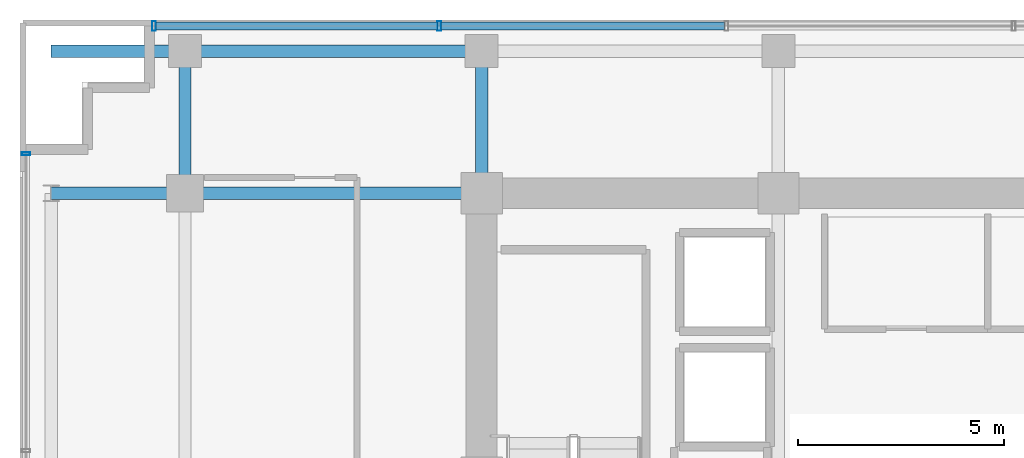
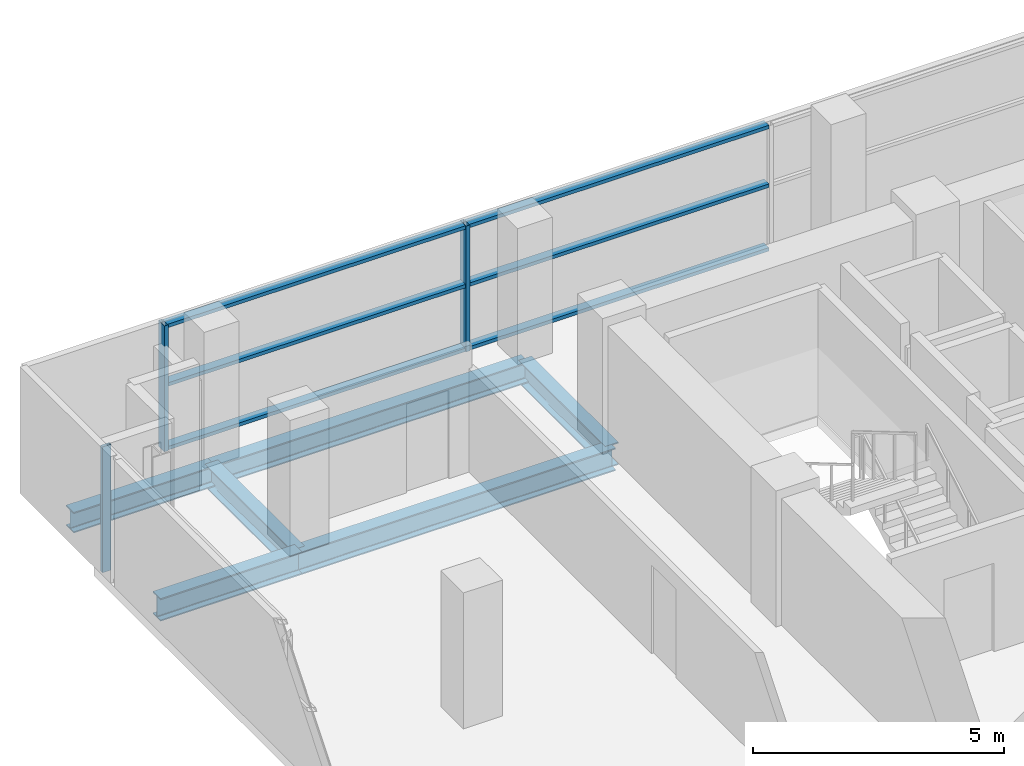
# One storey, part 12 of 24: 9 members, 6 beams, 2 elements without a shape of their own.
"""IFC4 building model written with IfcOpenShell, lengths in metres."""

from ifc_helpers import new_model, si_unit, direction, frame, origin, origin_2d, place, context, subcontext, project, spatial, hollow_rectangle, i_section, extrude, source, transform, mapped, material, layer, layer_set, material_profile, profile_set, type_object, element, aggregate, save


model = new_model("IFC4")

# Units and contexts
model_context = context("Model", 3, precision=1e-05, world=origin(), true_north=direction((0.0, 1.0)))
body_context = subcontext(model_context, "Body", "Model", "MODEL_VIEW")
ifc_project = project(units=[si_unit("LENGTHUNIT", "METRE"), si_unit("AREAUNIT", "SQUARE_METRE"), si_unit("VOLUMEUNIT", "CUBIC_METRE"), si_unit("PLANEANGLEUNIT", "RADIAN"), si_unit("MASSUNIT", "GRAM", prefix="KILO")], contexts=[model_context])

# Site, building, storey
site_placement = place(None, origin())
site = spatial("IfcSite", under=ifc_project, at=site_placement, CompositionType="ELEMENT")
building_placement = place(site_placement, origin())
building = spatial("IfcBuilding", under=site, at=building_placement, Name="Zarnakvel Exchange Tower", CompositionType="ELEMENT")
storey_placement = place(building_placement, frame((0.0, 0.0, 133.0)))
storey = spatial("IfcBuildingStorey", under=building, at=storey_placement, Name="L37", CompositionType="ELEMENT", Elevation=133.0)

# Beams
ifc_material_1 = material(Name="Steel S355", Category="steel")
ifc_material_profile_1 = material_profile(ifc_material_1, i_section(OverallWidth=0.300048828125, OverallDepth=0.550048828125, WebThickness=0.014892578125, FlangeThickness=0.029052734375, FilletRadius=0.027099609375, at=origin_2d()))
ifc_profile_set_1 = profile_set([ifc_material_profile_1], Name="Steel S355")
beam_type_1 = type_object("IfcBeamType", Name="G-05", PredefinedType="BEAM", material=ifc_profile_set_1)
beam_1_placement = place(storey_placement, frame((-24.85009765625, 13.5, -0.5), z_axis=(1.0, 0.0, 0.0), x_axis=(0.0, 1.0, 0.0)))
element("IfcBeam", 1, at=beam_1_placement, inside=storey, type_object=beam_type_1, Name="L37 Tower E-W Frame Beam", PredefinedType="BEAM", context=body_context, shape_type="SweptSolid", body=[
    extrude(i_section(OverallWidth=0.300048828125, OverallDepth=0.550048828125, WebThickness=0.014892578125, FlangeThickness=0.029052734375, FilletRadius=0.027099609375, at=origin_2d()), origin(), (0.0, 0.0, 1.0), 3.25),
])
beam_2_placement = place(storey_placement, frame((-21.60009765625, 13.5, -0.5), z_axis=(1.0, 0.0, 0.0), x_axis=(0.0, 1.0, 0.0)))
element("IfcBeam", 2, at=beam_2_placement, inside=storey, type_object=beam_type_1, Name="L37 Tower E-W Frame Beam", PredefinedType="BEAM", context=body_context, shape_type="SweptSolid", body=[
    extrude(i_section(OverallWidth=0.300048828125, OverallDepth=0.550048828125, WebThickness=0.014892578125, FlangeThickness=0.029052734375, FilletRadius=0.027099609375, at=origin_2d()), origin(), (0.0, 0.0, 1.0), 7.2001953125),
])
for number, where, z_axis, x_axis, name in (
    (3, (-21.60009765625, 13.5, -0.5), (0.0, 1.0, 0.0), (-1.0, 0.0, 0.0), "L37 Tower N-S Frame Beam"),
    (4, (-14.39990234375, 13.5, -0.5), (0.0, 1.0, 0.0), (-1.0, 0.0, 0.0), "L37 Tower N-S Frame Beam"),
):
    element("IfcBeam", number, at=place(storey_placement, frame(where, z_axis=z_axis, x_axis=x_axis)), inside=storey, type_object=beam_type_1, Name=name, PredefinedType="BEAM", context=body_context, shape_type="SweptSolid", body=[
        extrude(i_section(OverallWidth=0.300048828125, OverallDepth=0.550048828125, WebThickness=0.014892578125, FlangeThickness=0.029052734375, FilletRadius=0.027099609375, at=origin_2d()), origin(), (0.0, 0.0, 1.0), 3.449951171875),
    ])
ifc_material_profile_2 = material_profile(ifc_material_1, i_section(OverallWidth=0.300048828125, OverallDepth=0.5, WebThickness=0.014404296875, FlangeThickness=0.028076171875, FilletRadius=0.027099609375, at=origin_2d()))
ifc_profile_set_2 = profile_set([ifc_material_profile_2], Name="Steel S355")
beam_type_2 = type_object("IfcBeamType", Name="SP-02", PredefinedType="SPANDREL", material=ifc_profile_set_2)
beam_3_placement = place(storey_placement, frame((-21.60009765625, 16.949951171875, -0.47509765625), z_axis=(1.0, 0.0, 0.0), x_axis=(0.0, 1.0, 0.0)))
element("IfcBeam", 5, at=beam_3_placement, inside=storey, type_object=beam_type_2, Name="L37 Tower E-W Frame Beam", PredefinedType="SPANDREL", context=body_context, shape_type="SweptSolid", body=[
    extrude(i_section(OverallWidth=0.300048828125, OverallDepth=0.5, WebThickness=0.014404296875, FlangeThickness=0.028076171875, FilletRadius=0.027099609375, at=origin_2d()), origin(), (0.0, 0.0, 1.0), 7.2001953125),
])
beam_4_placement = place(storey_placement, frame((-24.85009765625, 16.949951171875, -0.47509765625), z_axis=(1.0, 0.0, 0.0), x_axis=(0.0, 1.0, 0.0)))
element("IfcBeam", 6, at=beam_4_placement, inside=storey, type_object=beam_type_2, Name="L37 North-West Corner Spandrel", PredefinedType="SPANDREL", context=body_context, shape_type="SweptSolid", body=[
    extrude(i_section(OverallWidth=0.300048828125, OverallDepth=0.5, WebThickness=0.014404296875, FlangeThickness=0.028076171875, FilletRadius=0.027099609375, at=origin_2d()), origin(), (0.0, 0.0, 1.0), 3.25),
])

# Curtain wall, members
ifc_material_2 = material(Name="Architectural Bronze Anodised Aluminium", Category="aluminium")
ifc_layer_1 = layer(ifc_material_2, 0.239990234375)
ifc_layer_set_1 = layer_set([ifc_layer_1], Name="Architectural Bronze Anodised Aluminium")
curtain_wall_type_1 = type_object("IfcCurtainWallType", Name="CW-02", PredefinedType="NOTDEFINED", material=ifc_layer_set_1)
curtain_wall_1_placement = place(storey_placement, origin())
curtain_wall_1 = element("IfcCurtainWall", 7, at=curtain_wall_1_placement, inside=storey, type_object=curtain_wall_type_1, Name="L37 Curtain Wall CW-L37-N1 (CW-02)", PredefinedType="NOTDEFINED")
ifc_material_profile_3 = material_profile(ifc_material_2, hollow_rectangle(XDim=0.239990234375, YDim=0.090087890625, WallThickness=0.006103515625, at=origin_2d()))
ifc_profile_set_3 = profile_set([ifc_material_profile_3], Name="Architectural Bronze Anodised Aluminium")
member_type_1 = type_object("IfcMemberType", Name="CWM-02", PredefinedType="MULLION", material=ifc_profile_set_3)
shared_shape_1 = source(origin(), body_context, "Body", "SweptSolid", [
    extrude(hollow_rectangle(XDim=0.239990234375, YDim=0.090087890625, WallThickness=0.006103515625, at=origin_2d()), origin(), (0.0, 0.0, 1.0), 3.054931640625),
])
member_1_placement = place(storey_placement, frame((-22.35498046875, 17.56005859375, 0.0), z_axis=(0.0, 0.0, 1.0), x_axis=(0.0, 1.0, 0.0)))
member_1 = element("IfcMember", 8, at=member_1_placement, type_object=member_type_1, Name="CW-02 mullion 1", PredefinedType="MULLION", context=body_context, shape_type="MappedRepresentation", body=[
    mapped(shared_shape_1, transform((0.0, 0.0, 0.0), x_axis=(1.0, 0.0, 0.0), y_axis=(0.0, 1.0, 0.0), z_axis=(0.0, 0.0, 1.0), scale=1.0)),
])
member_2_placement = place(storey_placement, frame((-15.428466796875, 17.56005859375, 0.0), z_axis=(0.0, 0.0, 1.0), x_axis=(0.0, 1.0, 0.0)))
member_2 = element("IfcMember", 9, at=member_2_placement, type_object=member_type_1, Name="CW-02 mullion 2", PredefinedType="MULLION", context=body_context, shape_type="MappedRepresentation", body=[
    mapped(shared_shape_1, transform((0.0, 0.0, 0.0), x_axis=(1.0, 0.0, 0.0), y_axis=(0.0, 1.0, 0.0), z_axis=(0.0, 0.0, 1.0), scale=1.0)),
])

# Curtain wall, member
ifc_layer_2 = layer(ifc_material_2, 0.199951171875)
ifc_layer_set_2 = layer_set([ifc_layer_2], Name="Architectural Bronze Anodised Aluminium")
curtain_wall_type_2 = type_object("IfcCurtainWallType", Name="CW-04", PredefinedType="NOTDEFINED", material=ifc_layer_set_2)
curtain_wall_2_placement = place(storey_placement, origin())
curtain_wall_2 = element("IfcCurtainWall", 10, at=curtain_wall_2_placement, inside=storey, type_object=curtain_wall_type_2, Name="L37 Curtain Wall CW-L37-W1 (CW-04)", PredefinedType="NOTDEFINED")
ifc_material_profile_4 = material_profile(ifc_material_2, hollow_rectangle(XDim=0.199951171875, YDim=0.074951171875, WallThickness=0.0048828125, at=origin_2d()))
ifc_profile_set_4 = profile_set([ifc_material_profile_4], Name="Architectural Bronze Anodised Aluminium")
member_type_2 = type_object("IfcMemberType", Name="CWM-04", PredefinedType="MULLION", material=ifc_profile_set_4)
shared_shape_2 = source(origin(), body_context, "Body", "SweptSolid", [
    extrude(hollow_rectangle(XDim=0.199951171875, YDim=0.074951171875, WallThickness=0.0048828125, at=origin_2d()), origin(), (0.0, 0.0, 1.0), 3.054931640625),
])
member_3_placement = place(storey_placement, frame((-25.4599609375, 14.46240234375, 0.0), z_axis=(0.0, 0.0, 1.0), x_axis=(-1.0, 0.0, 0.0)))
member_3 = element("IfcMember", 11, at=member_3_placement, type_object=member_type_2, Name="CW-04 mullion 5", PredefinedType="MULLION", context=body_context, shape_type="MappedRepresentation", body=[
    mapped(shared_shape_2, transform((0.0, 0.0, 0.0), x_axis=(1.0, 0.0, 0.0), y_axis=(0.0, 1.0, 0.0), z_axis=(0.0, 0.0, 1.0), scale=1.0)),
])
aggregate(curtain_wall_2, [member_3])

# Member
ifc_material_profile_5 = material_profile(ifc_material_2, hollow_rectangle(XDim=0.199951171875, YDim=0.0849609375, WallThickness=0.0048828125, at=origin_2d()))
ifc_profile_set_5 = profile_set([ifc_material_profile_5], Name="Architectural Bronze Anodised Aluminium")
member_type_3 = type_object("IfcMemberType", Name="CWT-02", PredefinedType="USERDEFINED", material=ifc_profile_set_5)
shared_shape_3 = source(origin(), body_context, "Body", "SweptSolid", [
    extrude(hollow_rectangle(XDim=0.199951171875, YDim=0.0849609375, WallThickness=0.0048828125, at=origin_2d()), origin(), (0.0, 0.0, 1.0), 6.83642578125),
])
member_4_placement = place(storey_placement, frame((-22.31005859375, 17.56005859375, 0.04248046875), z_axis=(1.0, 0.0, 0.0), x_axis=(0.0, 1.0, 0.0)))
member_4 = element("IfcMember", 12, at=member_4_placement, type_object=member_type_3, Name="CW-02 transom 1.1", ObjectType="TRANSOM", PredefinedType="USERDEFINED", context=body_context, shape_type="MappedRepresentation", body=[
    mapped(shared_shape_3, transform((0.0, 0.0, 0.0), x_axis=(1.0, 0.0, 0.0), y_axis=(0.0, 1.0, 0.0), z_axis=(0.0, 0.0, 1.0), scale=1.0)),
])

member_5_placement = place(storey_placement, frame((-22.31005859375, 17.56005859375, 1.588623046875), z_axis=(1.0, 0.0, 0.0), x_axis=(0.0, 1.0, 0.0)))
member_5 = element("IfcMember", 13, at=member_5_placement, type_object=member_type_3, Name="CW-02 transom 1.2", ObjectType="TRANSOM", PredefinedType="USERDEFINED", context=body_context, shape_type="MappedRepresentation", body=[
    mapped(shared_shape_3, transform((0.0, 0.0, 0.0), x_axis=(1.0, 0.0, 0.0), y_axis=(0.0, 1.0, 0.0), z_axis=(0.0, 0.0, 1.0), scale=1.0)),
])

member_6_placement = place(storey_placement, frame((-22.31005859375, 17.56005859375, 3.012451171875), z_axis=(1.0, 0.0, 0.0), x_axis=(0.0, 1.0, 0.0)))
member_6 = element("IfcMember", 14, at=member_6_placement, type_object=member_type_3, Name="CW-02 transom 1.3", ObjectType="TRANSOM", PredefinedType="USERDEFINED", context=body_context, shape_type="MappedRepresentation", body=[
    mapped(shared_shape_3, transform((0.0, 0.0, 0.0), x_axis=(1.0, 0.0, 0.0), y_axis=(0.0, 1.0, 0.0), z_axis=(0.0, 0.0, 1.0), scale=1.0)),
])

shared_shape_4 = source(origin(), body_context, "Body", "SweptSolid", [
    extrude(hollow_rectangle(XDim=0.199951171875, YDim=0.0849609375, WallThickness=0.0048828125, at=origin_2d()), origin(), (0.0, 0.0, 1.0), 6.88134765625),
])
member_7_placement = place(storey_placement, frame((-15.383544921875, 17.56005859375, 0.04248046875), z_axis=(1.0, 0.0, 0.0), x_axis=(0.0, 1.0, 0.0)))
member_7 = element("IfcMember", 15, at=member_7_placement, type_object=member_type_3, Name="CW-02 transom 2.1", ObjectType="TRANSOM", PredefinedType="USERDEFINED", context=body_context, shape_type="MappedRepresentation", body=[
    mapped(shared_shape_4, transform((0.0, 0.0, 0.0), x_axis=(1.0, 0.0, 0.0), y_axis=(0.0, 1.0, 0.0), z_axis=(0.0, 0.0, 1.0), scale=1.0)),
])

member_8_placement = place(storey_placement, frame((-15.383544921875, 17.56005859375, 1.588623046875), z_axis=(1.0, 0.0, 0.0), x_axis=(0.0, 1.0, 0.0)))
member_8 = element("IfcMember", 16, at=member_8_placement, type_object=member_type_3, Name="CW-02 transom 2.2", ObjectType="TRANSOM", PredefinedType="USERDEFINED", context=body_context, shape_type="MappedRepresentation", body=[
    mapped(shared_shape_4, transform((0.0, 0.0, 0.0), x_axis=(1.0, 0.0, 0.0), y_axis=(0.0, 1.0, 0.0), z_axis=(0.0, 0.0, 1.0), scale=1.0)),
])

member_9_placement = place(storey_placement, frame((-15.383544921875, 17.56005859375, 3.012451171875), z_axis=(1.0, 0.0, 0.0), x_axis=(0.0, 1.0, 0.0)))
member_9 = element("IfcMember", 17, at=member_9_placement, type_object=member_type_3, Name="CW-02 transom 2.3", ObjectType="TRANSOM", PredefinedType="USERDEFINED", context=body_context, shape_type="MappedRepresentation", body=[
    mapped(shared_shape_4, transform((0.0, 0.0, 0.0), x_axis=(1.0, 0.0, 0.0), y_axis=(0.0, 1.0, 0.0), z_axis=(0.0, 0.0, 1.0), scale=1.0)),
])

aggregate(curtain_wall_1, [member_1, member_2, member_4, member_5, member_6, member_7, member_8, member_9])

save(model, "model.ifc")
